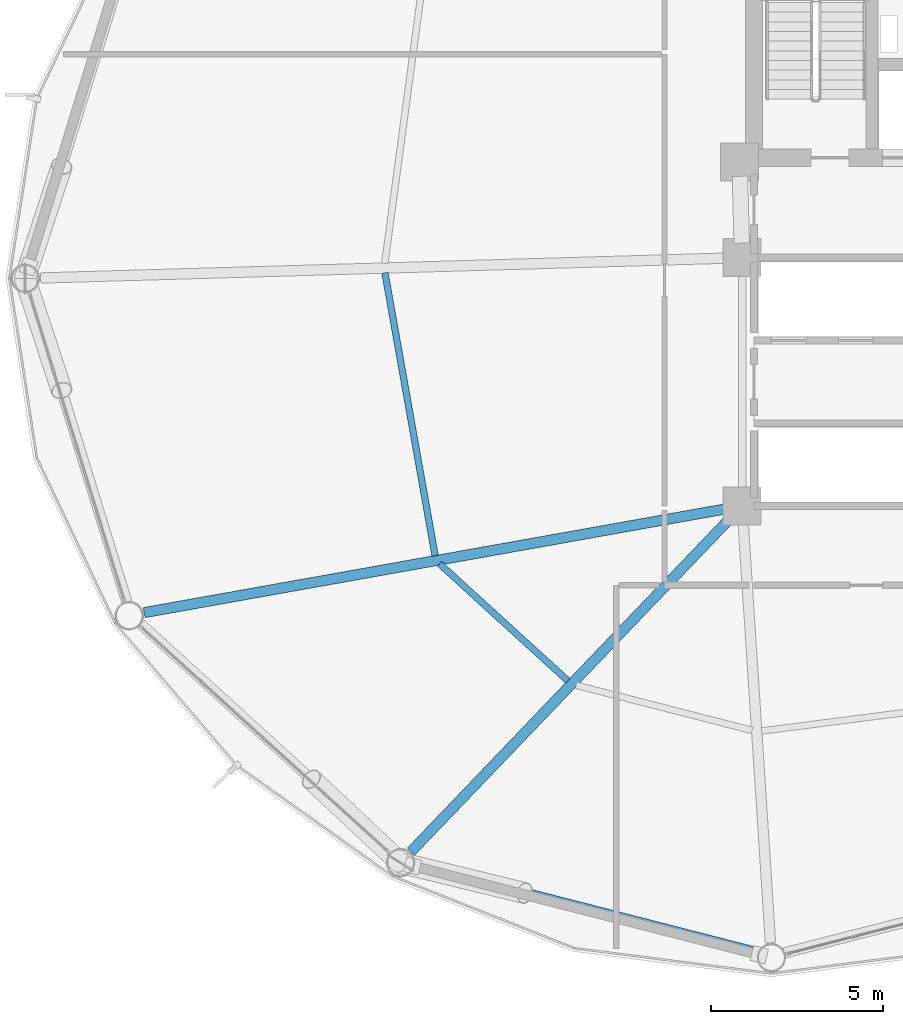
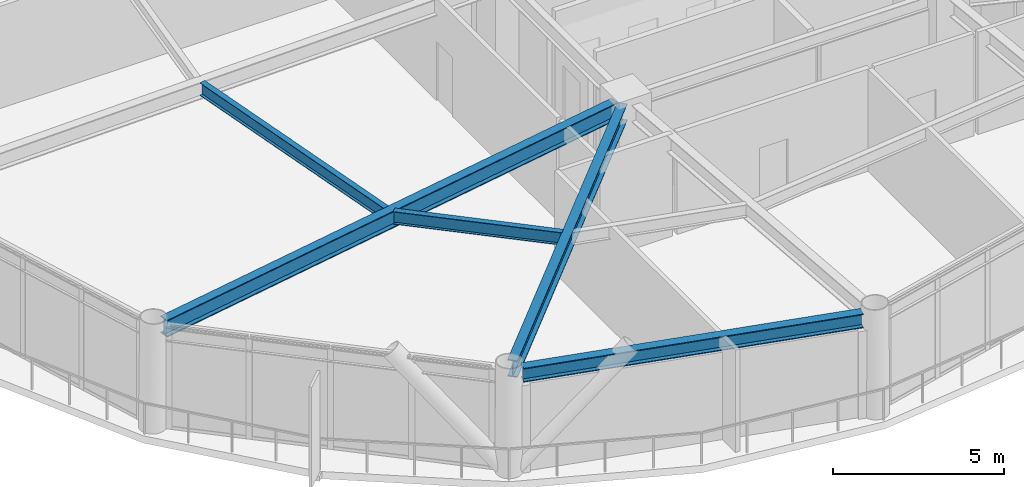
# One storey, part 4 of 25: 5 beams.
"""IFC4 building model written with IfcOpenShell, lengths in metres."""

from ifc_helpers import new_model, si_unit, direction, frame, origin, origin_2d, place, context, subcontext, project, spatial, i_section, extrude, material, material_profile, profile_set, type_object, element, save


model = new_model("IFC4")

# Units and contexts
model_context = context("Model", 3, precision=1e-05, world=origin(), true_north=direction((0.0, 1.0)))
body_context = subcontext(model_context, "Body", "Model", "MODEL_VIEW")
ifc_project = project(units=[si_unit("LENGTHUNIT", "METRE"), si_unit("AREAUNIT", "SQUARE_METRE"), si_unit("VOLUMEUNIT", "CUBIC_METRE"), si_unit("PLANEANGLEUNIT", "RADIAN"), si_unit("MASSUNIT", "GRAM", prefix="KILO")], contexts=[model_context])

# Site, building, storey
site_placement = place(None, origin())
site = spatial("IfcSite", under=ifc_project, at=site_placement, CompositionType="ELEMENT")
building_placement = place(site_placement, origin())
building = spatial("IfcBuilding", under=site, at=building_placement, Name="Varnakorn Sky Granary", CompositionType="ELEMENT")
storey_placement = place(building_placement, frame((0.0, 0.0, 99.300048828125)))
storey = spatial("IfcBuildingStorey", under=building, at=storey_placement, Name="L24", CompositionType="ELEMENT", Elevation=99.300048828125)

# Beams
ifc_material = material(Name="Steel S355JR", Category="steel")
ifc_material_profile_1 = material_profile(ifc_material, i_section(OverallWidth=0.300048828125, OverallDepth=0.60009765625, WebThickness=0.015380859375, FlangeThickness=0.030029296875, at=origin_2d()), Name="HE 600 B")
ifc_profile_set_1 = profile_set([ifc_material_profile_1], Name="Steel S355JR")
beam_type_1 = type_object("IfcBeamType", Name="BM-RAD-Z2", PredefinedType="BEAM", material=ifc_profile_set_1)
beam_1_placement = place(storey_placement, frame((-2.763427734375, -6.673828125, 3.33984375), z_axis=(-0.98445459469, -0.175639263814, 0.0), x_axis=(0.175639263814, -0.98445459469, 0.0)))
element("IfcBeam", 1, at=beam_1_placement, inside=storey, type_object=beam_type_1, Name="Radial Floor Girder RG08 L24", PredefinedType="BEAM", context=body_context, shape_type="SweptSolid", body=[
    extrude(i_section(OverallWidth=0.300048828125, OverallDepth=0.60009765625, WebThickness=0.015380859375, FlangeThickness=0.030029296875, at=origin_2d()), origin(), (0.0, 0.0, 1.0), 17.193115234375),
])
beam_2_placement = place(storey_placement, frame((-2.640380859375, -6.9033203125, 3.33984375), z_axis=(-0.691701321735, -0.72218368959, 0.0), x_axis=(0.72218368959, -0.691701321735, 0.0)))
element("IfcBeam", 2, at=beam_2_placement, inside=storey, type_object=beam_type_1, Name="Radial Floor Girder RG09 L24", PredefinedType="BEAM", context=body_context, shape_type="SweptSolid", body=[
    extrude(i_section(OverallWidth=0.300048828125, OverallDepth=0.60009765625, WebThickness=0.015380859375, FlangeThickness=0.030029296875, at=origin_2d()), origin(), (0.0, 0.0, 1.0), 13.463623046875),
])
ifc_material_profile_2 = material_profile(ifc_material, i_section(OverallWidth=0.18994140625, OverallDepth=0.449951171875, WebThickness=0.009521484375, FlangeThickness=0.0146484375, at=origin_2d()), Name="IPE 450")
ifc_profile_set_2 = profile_set([ifc_material_profile_2], Name="Steel S355JR")
beam_type_2 = type_object("IfcBeamType", Name="BM-SEC-Z2", PredefinedType="BEAM", material=ifc_profile_set_2)
beam_3_placement = place(storey_placement, frame((-12.706298828125, 0.161865234375, 3.4150390625), z_axis=(0.17461565859, -0.984636669932, 0.0), x_axis=(0.984636669932, 0.17461565859, 0.0)))
element("IfcBeam", 3, at=beam_3_placement, inside=storey, type_object=beam_type_2, Name="Secondary Floor Chord Beam MSB07 L24", PredefinedType="BEAM", context=body_context, shape_type="SweptSolid", body=[
    extrude(i_section(OverallWidth=0.18994140625, OverallDepth=0.449951171875, WebThickness=0.009521484375, FlangeThickness=0.0146484375, at=origin_2d()), origin(), (0.0, 0.0, 1.0), 8.3359375),
])
beam_4_placement = place(storey_placement, frame((-11.122802734375, -8.278076171875, 3.4150390625), z_axis=(0.739116959849, -0.673577107437, 0.0), x_axis=(0.673577107437, 0.739116959849, 0.0)))
element("IfcBeam", 4, at=beam_4_placement, inside=storey, type_object=beam_type_2, Name="Secondary Floor Chord Beam MSB08 L24", PredefinedType="BEAM", context=body_context, shape_type="SweptSolid", body=[
    extrude(i_section(OverallWidth=0.18994140625, OverallDepth=0.449951171875, WebThickness=0.009521484375, FlangeThickness=0.0146484375, at=origin_2d()), origin(), (0.0, 0.0, 1.0), 5.036376953125),
])
ifc_material_profile_3 = material_profile(ifc_material, i_section(OverallWidth=0.300048828125, OverallDepth=0.5, WebThickness=0.014404296875, FlangeThickness=0.028076171875, at=origin_2d()), Name="HE 500 B")
ifc_profile_set_3 = profile_set([ifc_material_profile_3], Name="Steel S355JR")
beam_type_3 = type_object("IfcBeamType", Name="BM-SPD-Z2", PredefinedType="SPANDREL", material=ifc_profile_set_3)
beam_5_placement = place(storey_placement, frame((-11.8447265625, -17.00634765625, 3.389892578125), z_axis=(0.968637656568, -0.248477544818, 0.0), x_axis=(0.248477544818, 0.968637656568, 0.0)))
element("IfcBeam", 5, at=beam_5_placement, inside=storey, type_object=beam_type_3, Name="Perimeter Spandrel Ring Beam RB09 L24", PredefinedType="SPANDREL", context=body_context, shape_type="SweptSolid", body=[
    extrude(i_section(OverallWidth=0.300048828125, OverallDepth=0.5, WebThickness=0.014404296875, FlangeThickness=0.028076171875, at=origin_2d()), origin(), (0.0, 0.0, 1.0), 10.288330078125),
])

save(model, "model.ifc")
